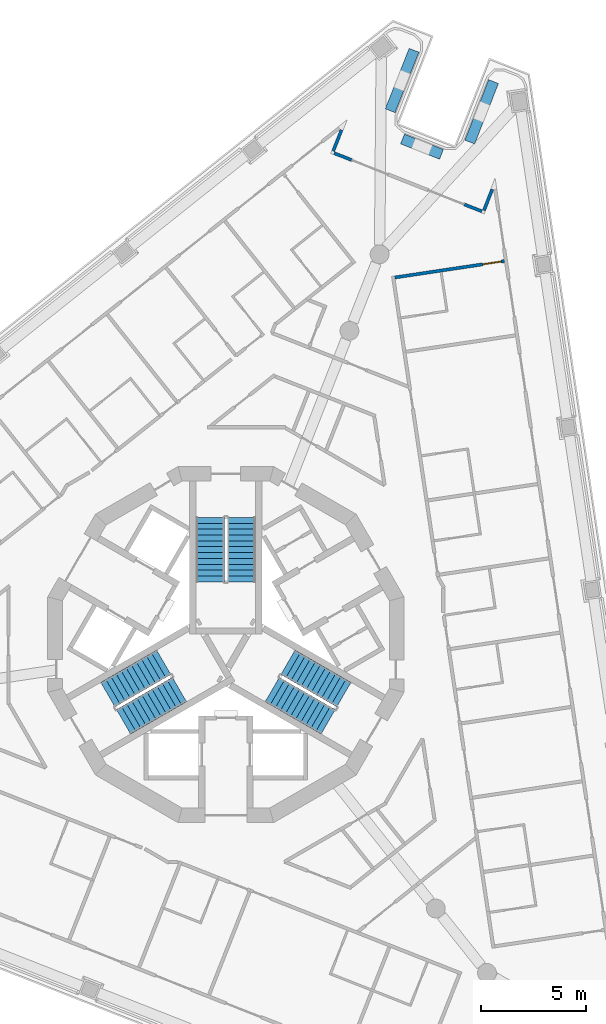
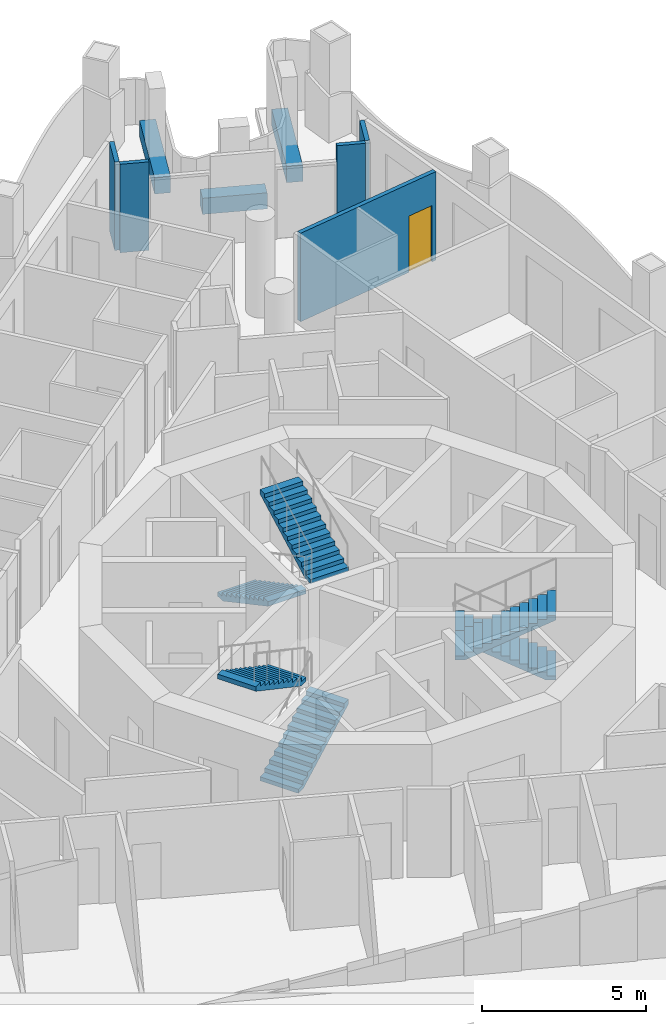
# One storey, part 10 of 17: 8 walls, 6 stair flights, 1 door, 1 opening, 3 elements without a shape of their own.
"""IFC4 building model written with IfcOpenShell, lengths in metres."""

from ifc_helpers import new_model, si_unit, direction, frame, frame_2d, origin, place, context, subcontext, project, spatial, polyline, rectangle, outline, extrude, material, layer, layer_set, type_object, element, fill, aggregate, save


model = new_model("IFC4")

# Units and contexts
model_context = context("Model", 3, precision=1e-05, world=origin(), true_north=direction((0.0, 1.0)))
body_context = subcontext(model_context, "Body", "Model", "MODEL_VIEW")
ifc_project = project(units=[si_unit("LENGTHUNIT", "METRE"), si_unit("AREAUNIT", "SQUARE_METRE"), si_unit("VOLUMEUNIT", "CUBIC_METRE"), si_unit("PLANEANGLEUNIT", "RADIAN"), si_unit("MASSUNIT", "GRAM", prefix="KILO")], contexts=[model_context])

# Site, building, storey
site_placement = place(None, origin())
site = spatial("IfcSite", under=ifc_project, at=site_placement, CompositionType="ELEMENT")
building_placement = place(site_placement, origin())
building = spatial("IfcBuilding", under=site, at=building_placement, Name="Trine Commons Tower", CompositionType="ELEMENT")
storey_placement = place(building_placement, frame((0.0, 0.0, 212.39990234375)))
storey = spatial("IfcBuildingStorey", under=building, at=storey_placement, Name="L55", CompositionType="ELEMENT", Elevation=212.39990234375)

# Walls
ifc_material_1 = material(Name="Aluminium-framed insulated wall panel", Category="aluminium")
ifc_layer_1 = layer(ifc_material_1, 0.14990234375)
ifc_layer_set_1 = layer_set([ifc_layer_1], Name="Aluminium-framed insulated wall panel")
wall_type_1 = type_object("IfcWallType", Name="Glazed frame wall 150, EI 60", PredefinedType="SOLIDWALL", material=ifc_layer_set_1)
wall_1_placement = place(storey_placement, frame((85.575927734375, 87.201171875, 0.0), z_axis=(0.0, 0.0, 1.0), x_axis=(-0.366472142006, -0.930429024232, 0.0)))
element("IfcWall", 1, at=wall_1_placement, inside=storey, type_object=wall_type_1, Name="Glazed frame wall R2", PredefinedType="SOLIDWALL", context=body_context, shape_type="SweptSolid", body=[
    extrude(outline(polyline([(0.1494140625, 0.074951171875), (0.1494140625, -0.074951171875), (1.235107421875, -0.074951171875), (1.235107421875, 0.074951171875), (0.1494140625, 0.074951171875)])), origin(), (0.0, 0.0, 1.0), 3.300048828125),
])
wall_2_placement = place(storey_placement, frame((85.063232421875, 85.9951171875, 0.0), z_axis=(0.0, 0.0, 1.0), x_axis=(0.930433620143, -0.366460473323, 0.0)))
element("IfcWall", 2, at=wall_2_placement, inside=storey, type_object=wall_type_1, Name="Glazed frame wall P1.1", PredefinedType="SOLIDWALL", context=body_context, shape_type="SweptSolid", body=[
    extrude(outline(polyline([(0.110107421875, -0.074951171875), (1.0, -0.074951171875), (1.0, 0.074951171875), (0.110107421875, 0.074951171875), (0.110107421875, -0.074951171875)])), origin(), (0.0, 0.0, 1.0), 3.300048828125),
])
wall_3_placement = place(storey_placement, frame((91.39013671875, 83.502685546875, 0.0), z_axis=(0.0, 0.0, 1.0), x_axis=(0.930433620143, -0.366460473323, 0.0)))
element("IfcWall", 3, at=wall_3_placement, inside=storey, type_object=wall_type_1, Name="Glazed frame wall P1.5", PredefinedType="SOLIDWALL", context=body_context, shape_type="SweptSolid", body=[
    extrude(outline(polyline([(0.889892578125, 0.074951171875), (0.0, 0.074951171875), (0.0, -0.074951171875), (0.889892578125, -0.074951171875), (0.889892578125, 0.074951171875)])), origin(), (0.0, 0.0, 1.0), 3.300048828125),
])
wall_4_placement = place(storey_placement, frame((92.275146484375, 83.11669921875, 0.0), z_axis=(0.0, 0.0, 1.0), x_axis=(0.366534042844, 0.9304046407, 0.0)))
element("IfcWall", 4, at=wall_4_placement, inside=storey, type_object=wall_type_1, Name="Glazed frame wall R4", PredefinedType="SOLIDWALL", context=body_context, shape_type="SweptSolid", body=[
    extrude(outline(polyline([(0.110107421875, 0.074951171875), (0.110107421875, -0.074951171875), (1.19580078125, -0.074951171875), (1.19580078125, 0.074951171875), (0.110107421875, 0.074951171875)])), origin(), (0.0, 0.0, 1.0), 3.300048828125),
])
ifc_material_2 = material(Name="Planter trough, precast concrete C40/50", Category="concrete")
ifc_layer_2 = layer(ifc_material_2, 0.5)
ifc_layer_set_2 = layer_set([ifc_layer_2], Name="Planter trough, precast concrete C40/50")
wall_type_2 = type_object("IfcWallType", Name="Planter trough 500x600", PredefinedType="PARAPET", material=ifc_layer_set_2)
wall_5_placement = place(storey_placement, frame((88.97998046875, 90.86328125, 0.0), z_axis=(0.0, 0.0, 1.0), x_axis=(-0.366456340628, -0.930435247835, 0.0)))
element("IfcWall", 5, at=wall_5_placement, inside=storey, type_object=wall_type_2, Name="Planter 4", PredefinedType="PARAPET", context=body_context, shape_type="SweptSolid", body=[
    extrude(rectangle(XDim=3.099853515625, YDim=0.5, at=frame_2d((1.5498046875, 0.0))), origin(), (0.0, 0.0, 1.0), 0.60009765625),
])
wall_6_placement = place(storey_placement, frame((88.430419921875, 86.630126953125, 0.0), z_axis=(0.0, 0.0, 1.0), x_axis=(0.930417223886, -0.366502100263, 0.0)))
element("IfcWall", 6, at=wall_6_placement, inside=storey, type_object=wall_type_2, Name="Planter 5", PredefinedType="PARAPET", context=body_context, shape_type="SweptSolid", body=[
    extrude(rectangle(XDim=1.999755859375, YDim=0.5, at=frame_2d((1.0, 0.0))), origin(), (0.0, 0.0, 1.0), 0.60009765625),
])
wall_7_placement = place(storey_placement, frame((91.639892578125, 86.483642578125, 0.0), z_axis=(0.0, 0.0, 1.0), x_axis=(0.366524518382, 0.930408392817, 0.0)))
element("IfcWall", 7, at=wall_7_placement, inside=storey, type_object=wall_type_2, Name="Planter 6", PredefinedType="PARAPET", context=body_context, shape_type="SweptSolid", body=[
    extrude(rectangle(XDim=3.10009765625, YDim=0.5, at=frame_2d((1.550048828125, 0.0))), origin(), (0.0, 0.0, 1.0), 0.60009765625),
])

# Wall, opening, door
ifc_material_3 = material(Name="Gypsum plasterboard on steel stud", Category="steel")
ifc_layer_3 = layer(ifc_material_3, 0.14990234375)
ifc_layer_set_3 = layer_set([ifc_layer_3], Name="Gypsum plasterboard on steel stud")
wall_type_3 = type_object("IfcWallType", Name="Unit and corridor wall 150 mm, EI 60", PredefinedType="PARTITIONING", material=ifc_layer_set_3)
wall_8_placement = place(storey_placement, frame((88.064208984375, 80.02099609375, 0.0), z_axis=(0.0, 0.0, 1.0), x_axis=(0.988994889639, 0.147949681543, 0.0)))
wall_8 = element("IfcWall", 8, at=wall_8_placement, inside=storey, type_object=wall_type_3, Name="Partition 105", PredefinedType="PARTITIONING", context=body_context, shape_type="SweptSolid", body=[
    extrude(rectangle(XDim=5.285400390625, YDim=0.14990234375, at=frame_2d((2.642578125, 0.0))), origin(), (0.0, 0.0, 1.0), 3.300048828125),
])
opening_placement = place(wall_8_placement, frame((4.2353515625, 0.0, 0.0)))
opening = element("IfcOpeningElement", 9, at=opening_placement, cuts=wall_8, Name="Opening D-6B13", PredefinedType="OPENING", context=body_context, shape_type="SweptSolid", body=[
    extrude(rectangle(XDim=0.89990234375, YDim=2.10009765625, at=frame_2d((0.449951171875, 1.050048828125))), frame((0.0, 0.0849609375, 0.0), z_axis=(0.0, -1.0, 0.0), x_axis=(1.0, 0.0, 0.0)), (0.0, 0.0, 1.0), 0.169921875),
])
ifc_material_4 = material(Name="Timber fire door set", Category="wood")
door_type = type_object("IfcDoorType", Name="Bedroom door 900 x 2100, FD30S", OperationType="NOTDEFINED", PredefinedType="DOOR", material=ifc_material_4)
door_placement = place(opening_placement, frame((0.89990234375, 0.0, 0.0), z_axis=(0.0, 0.0, 1.0), x_axis=(-1.0, 0.0, 0.0)))
door = element("IfcDoor", 10, at=door_placement, inside=storey, type_object=door_type, Name="Door D-6B13", OperationType="SINGLE_SWING_LEFT", OverallHeight=2.10009765625, OverallWidth=0.89990234375, PredefinedType="DOOR", context=body_context, shape_type="SweptSolid", body=[
    extrude(rectangle(XDim=0.89990234375, YDim=2.10009765625, at=frame_2d((0.449951171875, 1.050048828125))), frame((0.0, 0.02490234375, 0.0), z_axis=(0.0, -1.0, 0.0), x_axis=(1.0, 0.0, 0.0)), (0.0, 0.0, 1.0), 0.050048828125),
])
fill(opening, door)

# Stair, stair flights
ifc_material_5 = material(Name="Concrete C50/60", Category="concrete")
stair_type = type_object("IfcStairType", Name="Exit stair, dog-leg, 24 risers of 150 mm", PredefinedType="HALF_TURN_STAIR", material=ifc_material_5)
stair_1_placement = place(storey_placement, origin())
stair_1 = element("IfcStair", 11, at=stair_1_placement, inside=storey, type_object=stair_type, Name="L55 Exit stair ST1C", PredefinedType="HALF_TURN_STAIR")
stair_flight_type = type_object("IfcStairFlightType", Name="Stair flight, 1350 wide, 12 risers of 150 mm", PredefinedType="STRAIGHT", material=ifc_material_5)
stair_flight_1_placement = place(storey_placement, frame((79.25, 68.570556640625, 0.0), z_axis=(0.0, 0.0, 1.0), x_axis=(0.0, -1.0, 0.0)))
stair_flight_1 = element("IfcStairFlight", 12, at=stair_flight_1_placement, type_object=stair_flight_type, Name="ST1C flight 1", NumberOfRisers=12, NumberOfTreads=11, PredefinedType="STRAIGHT", RiserHeight=0.15, TreadLength=0.28, context=body_context, shape_type="SweptSolid", body=[
    extrude(outline(polyline([(0.0, 0.0), (0.0, 0.14990234375), (0.280029296875, 0.14990234375), (0.280029296875, 0.300048828125), (0.56005859375, 0.300048828125), (0.56005859375, 0.449951171875), (0.840087890625, 0.449951171875), (0.840087890625, 0.60009765625), (1.1201171875, 0.60009765625), (1.1201171875, 0.75), (1.39990234375, 0.75), (1.39990234375, 0.89990234375), (1.679931640625, 0.89990234375), (1.679931640625, 1.050048828125), (1.9599609375, 1.050048828125), (1.9599609375, 1.199951171875), (2.239990234375, 1.199951171875), (2.239990234375, 1.35009765625), (2.52001953125, 1.35009765625), (2.52001953125, 1.5), (2.800048828125, 1.5), (2.800048828125, 1.64990234375), (3.080078125, 1.64990234375), (3.080078125, 1.800048828125), (3.080078125, 1.47998046875), (0.3173828125, 0.0), (0.0, 0.0)])), frame((0.0, 0.675048828125, 0.0), z_axis=(0.0, -1.0, 0.0), x_axis=(1.0, 0.0, 0.0)), (0.0, 0.0, 1.0), 1.35009765625),
])
stair_flight_2_placement = place(storey_placement, frame((80.75, 65.490478515625, 1.800048828125), z_axis=(0.0, 0.0, 1.0), x_axis=(0.0, 1.0, 0.0)))
stair_flight_2 = element("IfcStairFlight", 13, at=stair_flight_2_placement, type_object=stair_flight_type, Name="ST1C flight 2", NumberOfRisers=12, NumberOfTreads=11, PredefinedType="STRAIGHT", RiserHeight=0.15, TreadLength=0.28, context=body_context, shape_type="SweptSolid", body=[
    extrude(outline(polyline([(0.0, 0.0), (0.0, 0.14990234375), (0.280029296875, 0.14990234375), (0.280029296875, 0.300048828125), (0.56005859375, 0.300048828125), (0.56005859375, 0.449951171875), (0.840087890625, 0.449951171875), (0.840087890625, 0.60009765625), (1.1201171875, 0.60009765625), (1.1201171875, 0.75), (1.39990234375, 0.75), (1.39990234375, 0.89990234375), (1.679931640625, 0.89990234375), (1.679931640625, 1.050048828125), (1.9599609375, 1.050048828125), (1.9599609375, 1.199951171875), (2.239990234375, 1.199951171875), (2.239990234375, 1.35009765625), (2.52001953125, 1.35009765625), (2.52001953125, 1.5), (2.800048828125, 1.5), (2.800048828125, 1.64990234375), (3.080078125, 1.64990234375), (3.080078125, 1.800048828125), (3.080078125, 1.47998046875), (0.3173828125, 0.0), (0.0, 0.0)])), frame((0.0, 0.675048828125, 0.0), z_axis=(0.0, -1.0, 0.0), x_axis=(1.0, 0.0, 0.0)), (0.0, 0.0, 1.0), 1.35009765625),
])
aggregate(stair_1, [stair_flight_1, stair_flight_2])

stair_2_placement = place(storey_placement, origin())
stair_2 = element("IfcStair", 14, at=stair_2_placement, inside=storey, type_object=stair_type, Name="L55 Exit stair ST2C", PredefinedType="HALF_TURN_STAIR")
stair_flight_3_placement = place(storey_placement, frame((75.11767578125, 58.815185546875, 0.0), z_axis=(0.0, 0.0, 1.0), x_axis=(0.866025403784, 0.5, 0.0)))
stair_flight_3 = element("IfcStairFlight", 15, at=stair_flight_3_placement, type_object=stair_flight_type, Name="ST2C flight 1", NumberOfRisers=12, NumberOfTreads=11, PredefinedType="STRAIGHT", RiserHeight=0.15, TreadLength=0.28, context=body_context, shape_type="SweptSolid", body=[
    extrude(outline(polyline([(0.0, 0.0), (0.0, 0.14990234375), (0.280029296875, 0.14990234375), (0.280029296875, 0.300048828125), (0.56005859375, 0.300048828125), (0.56005859375, 0.449951171875), (0.840087890625, 0.449951171875), (0.840087890625, 0.60009765625), (1.1201171875, 0.60009765625), (1.1201171875, 0.75), (1.39990234375, 0.75), (1.39990234375, 0.89990234375), (1.679931640625, 0.89990234375), (1.679931640625, 1.050048828125), (1.9599609375, 1.050048828125), (1.9599609375, 1.199951171875), (2.239990234375, 1.199951171875), (2.239990234375, 1.35009765625), (2.52001953125, 1.35009765625), (2.52001953125, 1.5), (2.800048828125, 1.5), (2.800048828125, 1.64990234375), (3.080078125, 1.64990234375), (3.080078125, 1.800048828125), (3.080078125, 1.47998046875), (0.3173828125, 0.0), (0.0, 0.0)])), frame((0.0, 0.675048828125, 0.0), z_axis=(0.0, -1.0, 0.0), x_axis=(1.0, 0.0, 0.0)), (0.0, 0.0, 1.0), 1.35009765625),
])
stair_flight_4_placement = place(storey_placement, frame((77.03515625, 61.654296875, 1.800048828125), z_axis=(0.0, 0.0, 1.0), x_axis=(-0.866025403784, -0.5, 0.0)))
stair_flight_4 = element("IfcStairFlight", 16, at=stair_flight_4_placement, type_object=stair_flight_type, Name="ST2C flight 2", NumberOfRisers=12, NumberOfTreads=11, PredefinedType="STRAIGHT", RiserHeight=0.15, TreadLength=0.28, context=body_context, shape_type="SweptSolid", body=[
    extrude(outline(polyline([(0.0, 0.0), (0.0, 0.14990234375), (0.280029296875, 0.14990234375), (0.280029296875, 0.300048828125), (0.56005859375, 0.300048828125), (0.56005859375, 0.449951171875), (0.840087890625, 0.449951171875), (0.840087890625, 0.60009765625), (1.1201171875, 0.60009765625), (1.1201171875, 0.75), (1.39990234375, 0.75), (1.39990234375, 0.89990234375), (1.679931640625, 0.89990234375), (1.679931640625, 1.050048828125), (1.9599609375, 1.050048828125), (1.9599609375, 1.199951171875), (2.239990234375, 1.199951171875), (2.239990234375, 1.35009765625), (2.52001953125, 1.35009765625), (2.52001953125, 1.5), (2.800048828125, 1.5), (2.800048828125, 1.64990234375), (3.080078125, 1.64990234375), (3.080078125, 1.800048828125), (3.080078125, 1.47998046875), (0.3173828125, 0.0), (0.0, 0.0)])), frame((0.0, 0.675048828125, 0.0), z_axis=(0.0, -1.0, 0.0), x_axis=(1.0, 0.0, 0.0)), (0.0, 0.0, 1.0), 1.35009765625),
])
aggregate(stair_2, [stair_flight_3, stair_flight_4])

stair_3_placement = place(storey_placement, origin())
stair_3 = element("IfcStair", 17, at=stair_3_placement, inside=storey, type_object=stair_type, Name="L55 Exit stair ST3C", PredefinedType="HALF_TURN_STAIR")
stair_flight_5_placement = place(storey_placement, frame((85.63232421875, 60.1142578125, 0.0), z_axis=(0.0, 0.0, 1.0), x_axis=(-0.866025403784, 0.5, 0.0)))
stair_flight_5 = element("IfcStairFlight", 18, at=stair_flight_5_placement, type_object=stair_flight_type, Name="ST3C flight 1", NumberOfRisers=12, NumberOfTreads=11, PredefinedType="STRAIGHT", RiserHeight=0.15, TreadLength=0.28, context=body_context, shape_type="SweptSolid", body=[
    extrude(outline(polyline([(0.0, 0.0), (0.0, 0.14990234375), (0.280029296875, 0.14990234375), (0.280029296875, 0.300048828125), (0.56005859375, 0.300048828125), (0.56005859375, 0.449951171875), (0.840087890625, 0.449951171875), (0.840087890625, 0.60009765625), (1.1201171875, 0.60009765625), (1.1201171875, 0.75), (1.39990234375, 0.75), (1.39990234375, 0.89990234375), (1.679931640625, 0.89990234375), (1.679931640625, 1.050048828125), (1.9599609375, 1.050048828125), (1.9599609375, 1.199951171875), (2.239990234375, 1.199951171875), (2.239990234375, 1.35009765625), (2.52001953125, 1.35009765625), (2.52001953125, 1.5), (2.800048828125, 1.5), (2.800048828125, 1.64990234375), (3.080078125, 1.64990234375), (3.080078125, 1.800048828125), (3.080078125, 1.47998046875), (0.3173828125, 0.0), (0.0, 0.0)])), frame((0.0, 0.675048828125, 0.0), z_axis=(0.0, -1.0, 0.0), x_axis=(1.0, 0.0, 0.0)), (0.0, 0.0, 1.0), 1.35009765625),
])
stair_flight_6_placement = place(storey_placement, frame((82.21484375, 60.355224609375, 1.800048828125), z_axis=(0.0, 0.0, 1.0), x_axis=(0.866025403784, -0.5, 0.0)))
stair_flight_6 = element("IfcStairFlight", 19, at=stair_flight_6_placement, type_object=stair_flight_type, Name="ST3C flight 2", NumberOfRisers=12, NumberOfTreads=11, PredefinedType="STRAIGHT", RiserHeight=0.15, TreadLength=0.28, context=body_context, shape_type="SweptSolid", body=[
    extrude(outline(polyline([(0.0, 0.0), (0.0, 0.14990234375), (0.280029296875, 0.14990234375), (0.280029296875, 0.300048828125), (0.56005859375, 0.300048828125), (0.56005859375, 0.449951171875), (0.840087890625, 0.449951171875), (0.840087890625, 0.60009765625), (1.1201171875, 0.60009765625), (1.1201171875, 0.75), (1.39990234375, 0.75), (1.39990234375, 0.89990234375), (1.679931640625, 0.89990234375), (1.679931640625, 1.050048828125), (1.9599609375, 1.050048828125), (1.9599609375, 1.199951171875), (2.239990234375, 1.199951171875), (2.239990234375, 1.35009765625), (2.52001953125, 1.35009765625), (2.52001953125, 1.5), (2.800048828125, 1.5), (2.800048828125, 1.64990234375), (3.080078125, 1.64990234375), (3.080078125, 1.800048828125), (3.080078125, 1.47998046875), (0.3173828125, 0.0), (0.0, 0.0)])), frame((0.0, 0.675048828125, 0.0), z_axis=(0.0, -1.0, 0.0), x_axis=(1.0, 0.0, 0.0)), (0.0, 0.0, 1.0), 1.35009765625),
])
aggregate(stair_3, [stair_flight_5, stair_flight_6])

save(model, "model.ifc")
